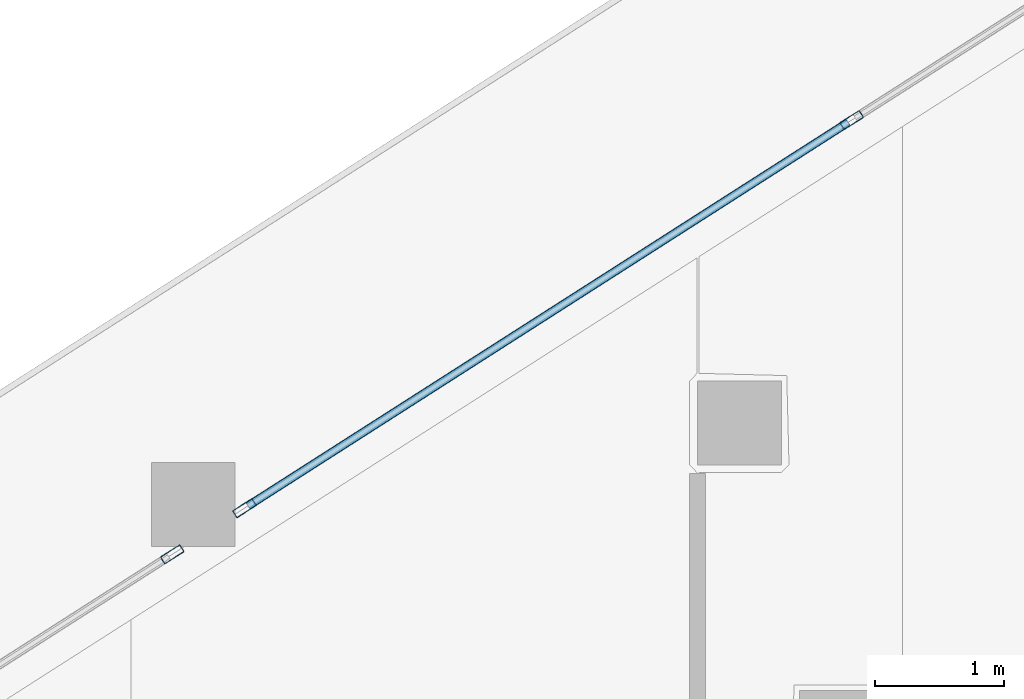
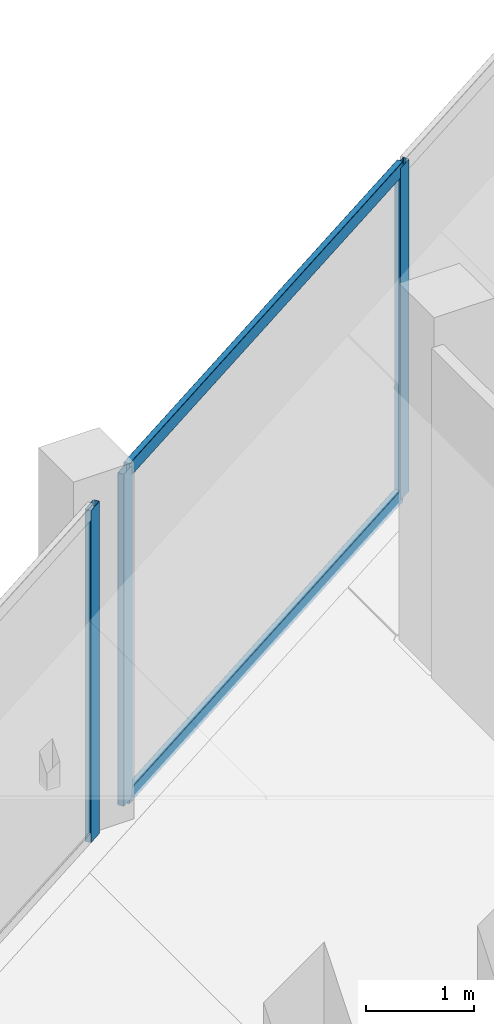
# One storey, part 18 of 44: 5 members, 2 elements without a shape of their own.
"""IFC4 building model written with IfcOpenShell, lengths in metres."""

from ifc_helpers import new_model, si_unit, direction, frame, origin, origin_2d, place, context, subcontext, project, spatial, hollow_rectangle, extrude, material, layer, layer_set, material_profile, profile_set, type_object, element, aggregate, save


model = new_model("IFC4")

# Units and contexts
model_context = context("Model", 3, precision=1e-05, world=origin(), true_north=direction((0.0, 1.0)))
body_context = subcontext(model_context, "Body", "Model", "MODEL_VIEW")
ifc_project = project(units=[si_unit("LENGTHUNIT", "METRE"), si_unit("AREAUNIT", "SQUARE_METRE"), si_unit("VOLUMEUNIT", "CUBIC_METRE"), si_unit("PLANEANGLEUNIT", "RADIAN"), si_unit("MASSUNIT", "GRAM", prefix="KILO")], contexts=[model_context])

# Site, building, storey
site_placement = place(None, origin())
site = spatial("IfcSite", under=ifc_project, at=site_placement, CompositionType="ELEMENT")
building_placement = place(site_placement, origin())
building = spatial("IfcBuilding", under=site, at=building_placement, Name="Qorvath Tower", CompositionType="ELEMENT")
storey_placement = place(building_placement, frame((0.0, 0.0, 113.85009765625)))
storey = spatial("IfcBuildingStorey", under=building, at=storey_placement, Name="L25", CompositionType="ELEMENT", Elevation=113.85009765625)

# Curtain wall, members
ifc_material_1 = material(Name="Anodised aluminium and triple low-E glass", Category="aluminium")
ifc_layer = layer(ifc_material_1, 0.179931640625)
ifc_layer_set = layer_set([ifc_layer], Name="CW-SYS-2")
curtain_wall_type = type_object("IfcCurtainWallType", Name="CW-SYS-2", PredefinedType="NOTDEFINED", material=ifc_layer_set)
curtain_wall_1_placement = place(storey_placement, origin())
curtain_wall_1 = element("IfcCurtainWall", 1, at=curtain_wall_1_placement, inside=storey, type_object=curtain_wall_type, Name="Curtain Wall CW-2 CW-T-L25-16.2", PredefinedType="NOTDEFINED")
ifc_material_2 = material(Name="Anodised aluminium 6063-T6", Category="aluminium")
ifc_material_profile_1 = material_profile(ifc_material_2, hollow_rectangle(XDim=0.06494140625, YDim=0.179931640625, WallThickness=0.00341796875, InnerFilletRadius=0.00341796875, OuterFilletRadius=0.007080078125, at=origin_2d()), Name="CWM 180x65")
ifc_profile_set_1 = profile_set([ifc_material_profile_1], Name="Anodised aluminium 6063-T6")
member_type_1 = type_object("IfcMemberType", Name="CWM-180", PredefinedType="MULLION", material=ifc_profile_set_1)
member_1_placement = place(storey_placement, frame((-30.14453125, 21.809814453125, 0.0), z_axis=(0.0, 0.0, 1.0), x_axis=(0.538542779135, -0.84259816938, 0.0)))
member_1 = element("IfcMember", 2, at=member_1_placement, type_object=member_type_1, Name="CW-2 mullion 2", PredefinedType="MULLION", context=body_context, shape_type="SweptSolid", body=[
    extrude(hollow_rectangle(XDim=0.06494140625, YDim=0.179931640625, WallThickness=0.00341796875, InnerFilletRadius=0.00341796875, OuterFilletRadius=0.007080078125, at=origin_2d()), origin(), (0.0, 0.0, 1.0), 3.77001953125),
])
member_2_placement = place(storey_placement, frame((-34.854248046875, 18.7998046875, 0.0), z_axis=(0.0, 0.0, 1.0), x_axis=(0.538542779135, -0.84259816938, 0.0)))
member_2 = element("IfcMember", 3, at=member_2_placement, type_object=member_type_1, Name="CW-2 mullion 3", PredefinedType="MULLION", context=body_context, shape_type="SweptSolid", body=[
    extrude(hollow_rectangle(XDim=0.06494140625, YDim=0.179931640625, WallThickness=0.00341796875, InnerFilletRadius=0.00341796875, OuterFilletRadius=0.007080078125, at=origin_2d()), origin(), (0.0, 0.0, 1.0), 3.77001953125),
])

# Curtain wall, member
curtain_wall_2_placement = place(storey_placement, origin())
curtain_wall_2 = element("IfcCurtainWall", 4, at=curtain_wall_2_placement, inside=storey, type_object=curtain_wall_type, Name="Curtain Wall CW-2 CW-T-L25-16.3", PredefinedType="NOTDEFINED")
member_3_placement = place(storey_placement, frame((-35.414306640625, 18.441650390625, 0.0), z_axis=(0.0, 0.0, 1.0), x_axis=(0.538529946269, -0.84260637131, 0.0)))
member_3 = element("IfcMember", 5, at=member_3_placement, type_object=member_type_1, Name="CW-2 mullion 1", PredefinedType="MULLION", context=body_context, shape_type="SweptSolid", body=[
    extrude(hollow_rectangle(XDim=0.06494140625, YDim=0.179931640625, WallThickness=0.00341796875, InnerFilletRadius=0.00341796875, OuterFilletRadius=0.007080078125, at=origin_2d()), origin(), (0.0, 0.0, 1.0), 3.77001953125),
])
aggregate(curtain_wall_2, [member_3])

# Member
ifc_material_3 = material(Name="Anodised aluminium 6063-T6", Category="aluminium")
ifc_material_profile_2 = material_profile(ifc_material_3, hollow_rectangle(XDim=0.06494140625, YDim=0.159912109375, WallThickness=0.00341796875, InnerFilletRadius=0.00341796875, OuterFilletRadius=0.007080078125, at=origin_2d()), Name="CWT 160x65")
ifc_profile_set_2 = profile_set([ifc_material_profile_2], Name="Anodised aluminium 6063-T6")
member_type_2 = type_object("IfcMemberType", Name="CWT-160", PredefinedType="USERDEFINED", material=ifc_profile_set_2)
member_4_placement = place(storey_placement, frame((-30.172119140625, 21.792236328125, 0.032470703125), z_axis=(-0.84259710634, -0.538544442351, 0.0), x_axis=(0.538544442351, -0.84259710634, 0.0)))
member_4 = element("IfcMember", 6, at=member_4_placement, type_object=member_type_2, Name="CW-2 transom 2.1", ObjectType="TRANSOM", PredefinedType="USERDEFINED", context=body_context, shape_type="SweptSolid", body=[
    extrude(hollow_rectangle(XDim=0.06494140625, YDim=0.159912109375, WallThickness=0.00341796875, InnerFilletRadius=0.00341796875, OuterFilletRadius=0.007080078125, at=origin_2d()), origin(), (0.0, 0.0, 1.0), 5.5244140625),
])

member_5_placement = place(storey_placement, frame((-30.172119140625, 21.792236328125, 3.737548828125), z_axis=(-0.84259710634, -0.538544442351, 0.0), x_axis=(0.538544442351, -0.84259710634, 0.0)))
member_5 = element("IfcMember", 7, at=member_5_placement, type_object=member_type_2, Name="CW-2 transom 2.2", ObjectType="TRANSOM", PredefinedType="USERDEFINED", context=body_context, shape_type="SweptSolid", body=[
    extrude(hollow_rectangle(XDim=0.06494140625, YDim=0.159912109375, WallThickness=0.00341796875, InnerFilletRadius=0.00341796875, OuterFilletRadius=0.007080078125, at=origin_2d()), origin(), (0.0, 0.0, 1.0), 5.5244140625),
])

aggregate(curtain_wall_1, [member_1, member_2, member_4, member_5])

save(model, "model.ifc")
